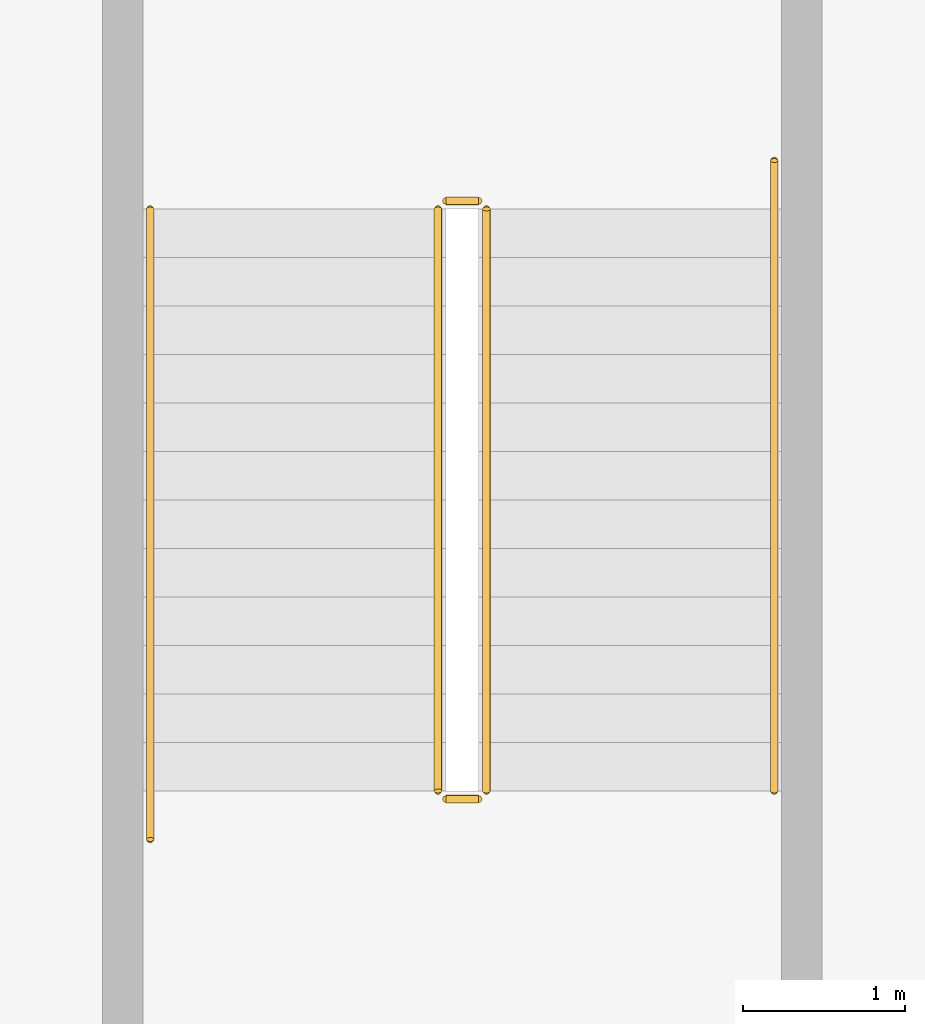
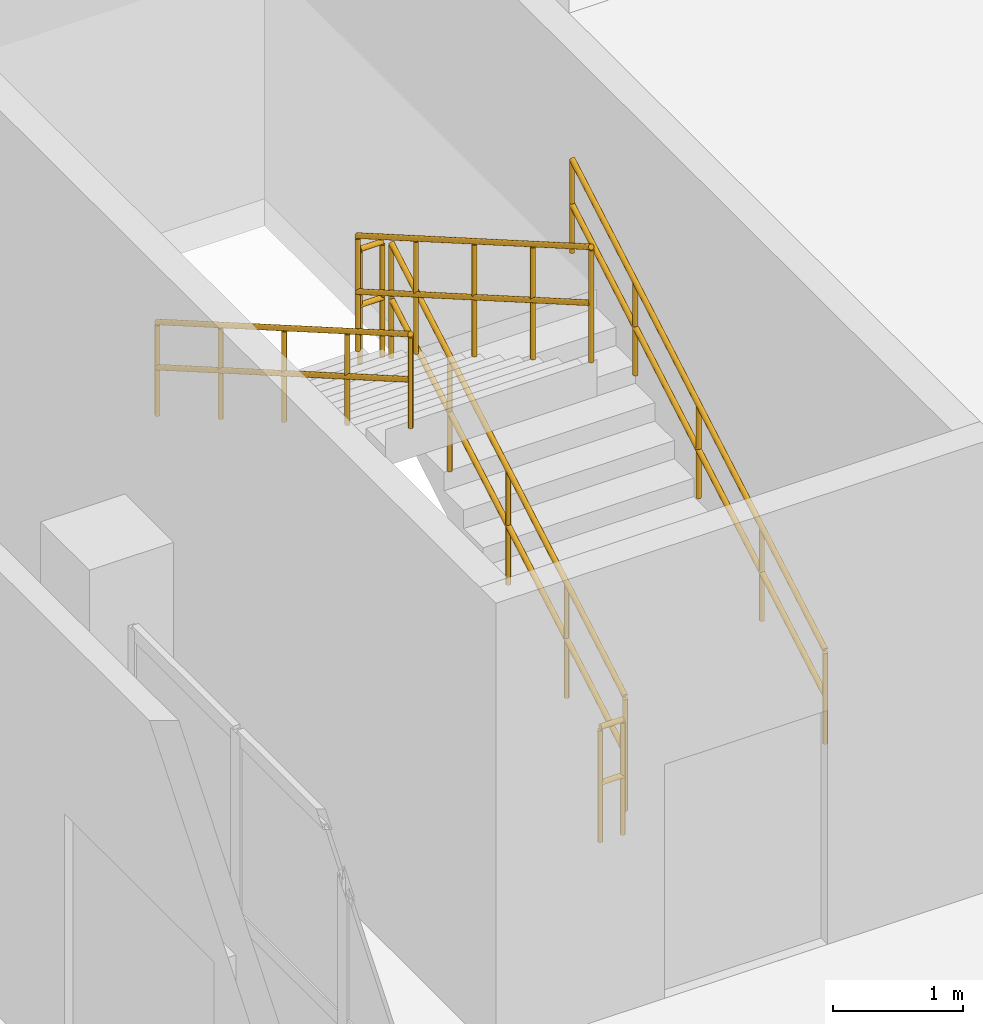
# One storey, part 81 of 85: 6 railings.
"""IFC4 building model written with IfcOpenShell, lengths in metres."""

from ifc_helpers import new_model, si_unit, direction, frame, origin, origin_2d, place, context, subcontext, project, spatial, circle, extrude, material, type_object, element, save


model = new_model("IFC4")

# Units and contexts
model_context = context("Model", 3, precision=1e-05, world=origin(), true_north=direction((0.0, 1.0)))
body_context = subcontext(model_context, "Body", "Model", "MODEL_VIEW")
ifc_project = project(units=[si_unit("LENGTHUNIT", "METRE"), si_unit("AREAUNIT", "SQUARE_METRE"), si_unit("VOLUMEUNIT", "CUBIC_METRE"), si_unit("PLANEANGLEUNIT", "RADIAN"), si_unit("MASSUNIT", "GRAM", prefix="KILO")], contexts=[model_context])

# Site, building, storey
site_placement = place(None, origin())
site = spatial("IfcSite", under=ifc_project, at=site_placement, CompositionType="ELEMENT")
building_placement = place(site_placement, origin())
building = spatial("IfcBuilding", under=site, at=building_placement, Name="Marnock Terrace Opera House", CompositionType="ELEMENT")
storey_placement = place(building_placement, frame((0.0, 0.0, 10.199951171875)))
storey = spatial("IfcBuildingStorey", under=building, at=storey_placement, Name="L02", CompositionType="ELEMENT", Elevation=10.199951171875)

# Railings
ifc_material = material(Name="Architectural bronze balustrade")
railing_type_1 = type_object("IfcRailingType", Name="RL-GUARD-1100", PredefinedType="GUARDRAIL", material=ifc_material)
railing_1_placement = place(storey_placement, frame((59.489990234375, 74.800048828125, 0.173095703125)))
element("IfcRailing", 1, at=railing_1_placement, inside=storey, type_object=railing_type_1, Name="L02 ST-03 stair guard 1", PredefinedType="GUARDRAIL", context=body_context, shape_type="SweptSolid", body=[
    extrude(circle(Radius=0.02392578125, at=origin_2d()), frame((0.0, 0.0, 1.076171875), z_axis=(0.0, 0.866178740119, 0.499734319579), x_axis=(-1.0, 0.0, 0.0)), (0.0, 0.0, 1.0), 4.156005859375),
    extrude(circle(Radius=0.02392578125, at=origin_2d()), frame((0.0, 0.0, 0.550048828125), z_axis=(0.0, 0.866178740119, 0.499734319579), x_axis=(-1.0, 0.0, 0.0)), (0.0, 0.0, 1.0), 4.156005859375),
    extrude(circle(Radius=0.02099609375, at=origin_2d()), origin(), (0.0, 0.0, 1.0), 1.052001953125),
    extrude(circle(Radius=0.02099609375, at=origin_2d()), frame((0.0, 0.89990234375, 0.519287109375)), (0.0, 0.0, 1.0), 1.052001953125),
    extrude(circle(Radius=0.02099609375, at=origin_2d()), frame((0.0, 1.7998046875, 1.03857421875)), (0.0, 0.0, 1.0), 1.052001953125),
    extrude(circle(Radius=0.02099609375, at=origin_2d()), frame((0.0, 2.699951171875, 1.5576171875)), (0.0, 0.0, 1.0), 1.052001953125),
    extrude(circle(Radius=0.02099609375, at=origin_2d()), frame((0.0, 3.599853515625, 2.076904296875)), (0.0, 0.0, 1.0), 1.052001953125),
])
railing_2_placement = place(storey_placement, frame((59.43994140625, 78.449951171875, 2.25)))
element("IfcRailing", 2, at=railing_2_placement, inside=storey, type_object=railing_type_1, Name="L02 ST-03 stair guard 2", PredefinedType="GUARDRAIL", context=body_context, shape_type="SweptSolid", body=[
    extrude(circle(Radius=0.02392578125, at=origin_2d()), frame((0.0, 0.0, 1.076171875), z_axis=(-1.0, 0.0, 0.0), x_axis=(0.0, -1.0, 0.0)), (0.0, 0.0, 1.0), 0.199951171875),
    extrude(circle(Radius=0.02392578125, at=origin_2d()), frame((0.0, 0.0, 0.550048828125), z_axis=(-1.0, 0.0, 0.0), x_axis=(0.0, -1.0, 0.0)), (0.0, 0.0, 1.0), 0.199951171875),
    extrude(circle(Radius=0.02099609375, at=origin_2d()), origin(), (0.0, 0.0, 1.0), 1.052001953125),
    extrude(circle(Radius=0.02099609375, at=origin_2d()), frame((-0.199951171875, 0.0, 0.0)), (0.0, 0.0, 1.0), 1.052001953125),
])
railing_3_placement = place(storey_placement, frame((59.18994140625, 78.39990234375, 2.423095703125)))
element("IfcRailing", 3, at=railing_3_placement, inside=storey, type_object=railing_type_1, Name="L02 ST-03 stair guard 3", PredefinedType="GUARDRAIL", context=body_context, shape_type="SweptSolid", body=[
    extrude(circle(Radius=0.02392578125, at=origin_2d()), frame((0.0, 0.0, 1.076171875), z_axis=(0.0, -0.866178740119, 0.499734319579), x_axis=(1.0, 0.0, 0.0)), (0.0, 0.0, 1.0), 4.156005859375),
    extrude(circle(Radius=0.02392578125, at=origin_2d()), frame((0.0, 0.0, 0.550048828125), z_axis=(0.0, -0.866178740119, 0.499734319579), x_axis=(1.0, 0.0, 0.0)), (0.0, 0.0, 1.0), 4.156005859375),
    extrude(circle(Radius=0.02099609375, at=origin_2d()), origin(), (0.0, 0.0, 1.0), 1.052001953125),
    extrude(circle(Radius=0.02099609375, at=origin_2d()), frame((0.0, -0.89990234375, 0.519287109375)), (0.0, 0.0, 1.0), 1.052001953125),
    extrude(circle(Radius=0.02099609375, at=origin_2d()), frame((0.0, -1.7998046875, 1.03857421875)), (0.0, 0.0, 1.0), 1.052001953125),
    extrude(circle(Radius=0.02099609375, at=origin_2d()), frame((0.0, -2.699951171875, 1.5576171875)), (0.0, 0.0, 1.0), 1.052001953125),
    extrude(circle(Radius=0.02099609375, at=origin_2d()), frame((0.0, -3.599853515625, 2.076904296875)), (0.0, 0.0, 1.0), 1.052001953125),
])
railing_4_placement = place(storey_placement, frame((59.43994140625, 74.75, 0.0)))
element("IfcRailing", 4, at=railing_4_placement, inside=storey, type_object=railing_type_1, Name="L02 ST-03 stair guard 4", PredefinedType="GUARDRAIL", context=body_context, shape_type="SweptSolid", body=[
    extrude(circle(Radius=0.02392578125, at=origin_2d()), frame((0.0, 0.0, 1.076171875), z_axis=(-1.0, 0.0, 0.0), x_axis=(0.0, -1.0, 0.0)), (0.0, 0.0, 1.0), 0.199951171875),
    extrude(circle(Radius=0.02392578125, at=origin_2d()), frame((0.0, 0.0, 0.550048828125), z_axis=(-1.0, 0.0, 0.0), x_axis=(0.0, -1.0, 0.0)), (0.0, 0.0, 1.0), 0.199951171875),
    extrude(circle(Radius=0.02099609375, at=origin_2d()), origin(), (0.0, 0.0, 1.0), 1.052001953125),
    extrude(circle(Radius=0.02099609375, at=origin_2d()), frame((-0.199951171875, 0.0, 0.0)), (0.0, 0.0, 1.0), 1.052001953125),
])
railing_type_2 = type_object("IfcRailingType", Name="RL-HAND-900", PredefinedType="HANDRAIL", material=ifc_material)
railing_5_placement = place(storey_placement, frame((61.27001953125, 74.800048828125, 0.18505859375)))
element("IfcRailing", 5, at=railing_5_placement, inside=storey, type_object=railing_type_2, Name="L02 ST-03 stair handrail 1", PredefinedType="HANDRAIL", context=body_context, shape_type="SweptSolid", body=[
    extrude(circle(Radius=0.02392578125, at=origin_2d()), frame((0.0, 0.0, 0.8759765625), z_axis=(0.0, 0.866180169578, 0.49973184192), x_axis=(-1.0, 0.0, 0.0)), (0.0, 0.0, 1.0), 4.50244140625),
    extrude(circle(Radius=0.02392578125, at=origin_2d()), frame((0.0, 0.0, 0.449951171875), z_axis=(0.0, 0.866180169578, 0.49973184192), x_axis=(-1.0, 0.0, 0.0)), (0.0, 0.0, 1.0), 4.50244140625),
    extrude(circle(Radius=0.02099609375, at=origin_2d()), origin(), (0.0, 0.0, 1.0), 0.851806640625),
    extrude(circle(Radius=0.02099609375, at=origin_2d()), frame((0.0, 0.97509765625, 0.5625)), (0.0, 0.0, 1.0), 0.851806640625),
    extrude(circle(Radius=0.02099609375, at=origin_2d()), frame((0.0, 1.949951171875, 1.125)), (0.0, 0.0, 1.0), 0.851806640625),
    extrude(circle(Radius=0.02099609375, at=origin_2d()), frame((0.0, 2.9248046875, 1.6875)), (0.0, 0.0, 1.0), 0.851806640625),
    extrude(circle(Radius=0.02099609375, at=origin_2d()), frame((0.0, 3.89990234375, 2.25)), (0.0, 0.0, 1.0), 0.851806640625),
])
railing_6_placement = place(storey_placement, frame((57.409912109375, 78.39990234375, 2.43505859375)))
element("IfcRailing", 6, at=railing_6_placement, inside=storey, type_object=railing_type_2, Name="L02 ST-03 stair handrail 2", PredefinedType="HANDRAIL", context=body_context, shape_type="SweptSolid", body=[
    extrude(circle(Radius=0.02392578125, at=origin_2d()), frame((0.0, 0.0, 0.8759765625), z_axis=(0.0, -0.866180169578, 0.49973184192), x_axis=(1.0, 0.0, 0.0)), (0.0, 0.0, 1.0), 4.50244140625),
    extrude(circle(Radius=0.02392578125, at=origin_2d()), frame((0.0, 0.0, 0.449951171875), z_axis=(0.0, -0.866180169578, 0.49973184192), x_axis=(1.0, 0.0, 0.0)), (0.0, 0.0, 1.0), 4.50244140625),
    extrude(circle(Radius=0.02099609375, at=origin_2d()), origin(), (0.0, 0.0, 1.0), 0.851806640625),
    extrude(circle(Radius=0.02099609375, at=origin_2d()), frame((0.0, -0.97509765625, 0.5625)), (0.0, 0.0, 1.0), 0.851806640625),
    extrude(circle(Radius=0.02099609375, at=origin_2d()), frame((0.0, -1.949951171875, 1.125)), (0.0, 0.0, 1.0), 0.851806640625),
    extrude(circle(Radius=0.02099609375, at=origin_2d()), frame((0.0, -2.9248046875, 1.6875)), (0.0, 0.0, 1.0), 0.851806640625),
    extrude(circle(Radius=0.02099609375, at=origin_2d()), frame((0.0, -3.89990234375, 2.25)), (0.0, 0.0, 1.0), 0.851806640625),
])

save(model, "model.ifc")
